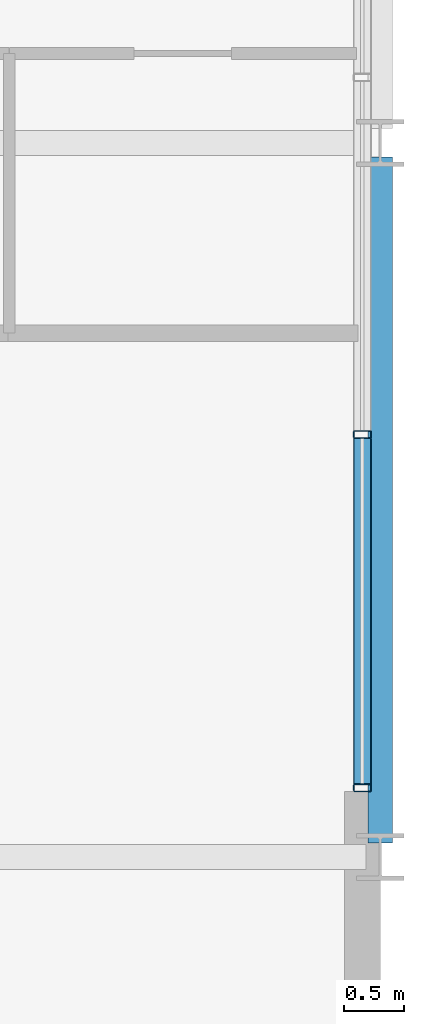
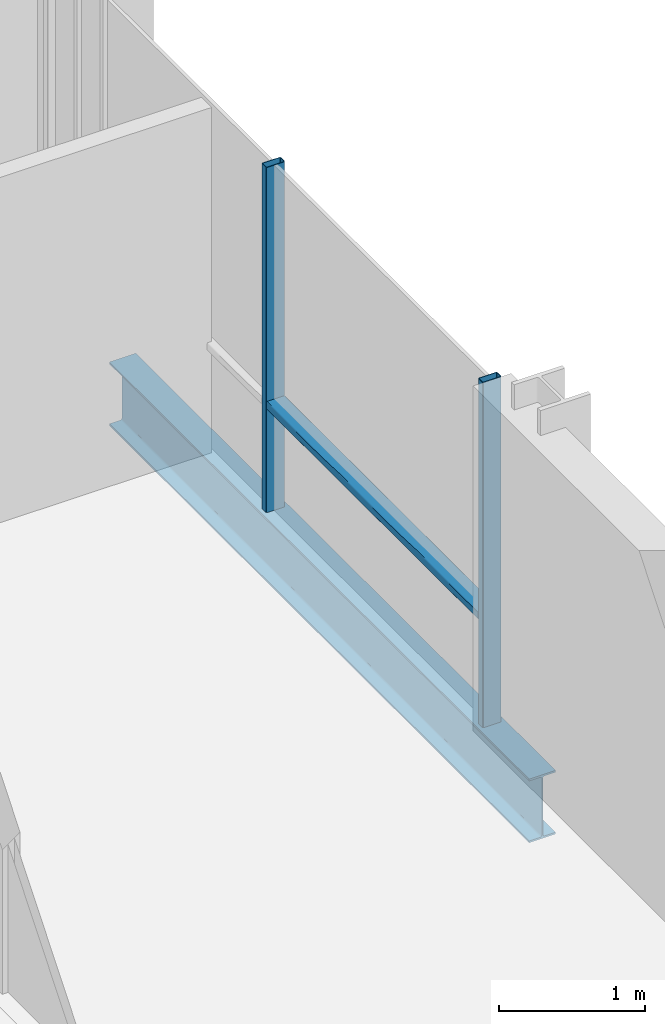
# One storey, part 10 of 27: 3 members, 1 beam, 1 element without a shape of its own.
"""IFC4 building model written with IfcOpenShell, lengths in metres."""

from ifc_helpers import new_model, si_unit, direction, frame, origin, origin_2d, place, context, subcontext, project, spatial, hollow_rectangle, i_section, extrude, material, layer, layer_set, material_profile, profile_set, type_object, element, aggregate, save


model = new_model("IFC4")

# Units and contexts
model_context = context("Model", 3, precision=1e-05, world=origin(), true_north=direction((0.0, 1.0)))
body_context = subcontext(model_context, "Body", "Model", "MODEL_VIEW")
ifc_project = project(units=[si_unit("LENGTHUNIT", "METRE"), si_unit("AREAUNIT", "SQUARE_METRE"), si_unit("VOLUMEUNIT", "CUBIC_METRE"), si_unit("PLANEANGLEUNIT", "RADIAN"), si_unit("MASSUNIT", "GRAM", prefix="KILO")], contexts=[model_context])

# Site, building, storey
site_placement = place(None, origin())
site = spatial("IfcSite", under=ifc_project, at=site_placement, CompositionType="ELEMENT")
building_placement = place(site_placement, origin())
building = spatial("IfcBuilding", under=site, at=building_placement, Name="Brevholm Reach", CompositionType="ELEMENT")
storey_placement = place(building_placement, frame((0.0, 0.0, 195.60009765625)))
storey = spatial("IfcBuildingStorey", under=building, at=storey_placement, Name="L59", CompositionType="ELEMENT", Elevation=195.60009765625)

# Beam
ifc_material_1 = material(Name="Structural Steel S355J2", Category="steel")
ifc_material_profile_1 = material_profile(ifc_material_1, i_section(OverallWidth=0.209228515625, OverallDepth=0.533203125, WebThickness=0.010009765625, FlangeThickness=0.015625, FilletRadius=0.0126953125, at=origin_2d()), Name="UKB 533x210x92")
ifc_profile_set_1 = profile_set([ifc_material_profile_1], Name="Structural Steel S355J2")
beam_type = type_object("IfcBeamType", Name="BM-SP533", PredefinedType="SPANDREL", material=ifc_profile_set_1)
beam_placement = place(storey_placement, frame((60.0, 10.1201171875, -0.4765625), z_axis=(0.0, 1.0, 0.0), x_axis=(-1.0, 0.0, 0.0)))
element("IfcBeam", 1, at=beam_placement, inside=storey, type_object=beam_type, Name="L59 SP-02 Framing Beam", PredefinedType="SPANDREL", context=body_context, shape_type="SweptSolid", body=[
    extrude(i_section(OverallWidth=0.209228515625, OverallDepth=0.533203125, WebThickness=0.010009765625, FlangeThickness=0.015625, FilletRadius=0.0126953125, at=origin_2d()), origin(), (0.0, 0.0, 1.0), 5.759765625),
])

# Curtain wall, members
ifc_material_2 = material(Name="Dark Anodised Aluminium 6063-T6 and Solar-Control Glass", Category="aluminium")
ifc_layer = layer(ifc_material_2, 0.14990234375)
ifc_layer_set = layer_set([ifc_layer], Name="Dark Anodised Aluminium 6063-T6 and Solar-Control Glass")
curtain_wall_type = type_object("IfcCurtainWallType", Name="CW-01", PredefinedType="NOTDEFINED", material=ifc_layer_set)
curtain_wall_placement = place(storey_placement, origin())
curtain_wall = element("IfcCurtainWall", 2, at=curtain_wall_placement, inside=storey, type_object=curtain_wall_type, Name="L59 Curtain Wall CW-01", PredefinedType="NOTDEFINED")
ifc_material_3 = material(Name="Dark Anodised Aluminium 6063-T6", Category="aluminium")
ifc_material_profile_2 = material_profile(ifc_material_3, hollow_rectangle(XDim=0.06494140625, YDim=0.14990234375, WallThickness=0.0048828125, InnerFilletRadius=0.0048828125, OuterFilletRadius=0.010009765625, at=origin_2d()), Name="RHS 150x65x5")
ifc_profile_set_2 = profile_set([ifc_material_profile_2], Name="Dark Anodised Aluminium 6063-T6")
member_type_1 = type_object("IfcMemberType", Name="CWM-150", PredefinedType="MULLION", material=ifc_profile_set_2)
member_1_placement = place(storey_placement, frame((59.85009765625, 10.58251953125, 0.0), z_axis=(0.0, 0.0, 1.0), x_axis=(0.0, 1.0, 0.0)))
member_1 = element("IfcMember", 3, at=member_1_placement, type_object=member_type_1, Name="CM-150 Mullion 1", PredefinedType="MULLION", context=body_context, shape_type="SweptSolid", body=[
    extrude(hollow_rectangle(XDim=0.06494140625, YDim=0.14990234375, WallThickness=0.0048828125, InnerFilletRadius=0.0048828125, OuterFilletRadius=0.010009765625, at=origin_2d()), origin(), (0.0, 0.0, 1.0), 2.889892578125),
])
member_2_placement = place(storey_placement, frame((59.85009765625, 13.550048828125, 0.0), z_axis=(0.0, 0.0, 1.0), x_axis=(0.0, 1.0, 0.0)))
member_2 = element("IfcMember", 4, at=member_2_placement, type_object=member_type_1, Name="CM-150 Mullion 2", PredefinedType="MULLION", context=body_context, shape_type="SweptSolid", body=[
    extrude(hollow_rectangle(XDim=0.06494140625, YDim=0.14990234375, WallThickness=0.0048828125, InnerFilletRadius=0.0048828125, OuterFilletRadius=0.010009765625, at=origin_2d()), origin(), (0.0, 0.0, 1.0), 2.889892578125),
])
ifc_material_4 = material(Name="Dark Anodised Aluminium 6063-T6", Category="aluminium")
ifc_material_profile_3 = material_profile(ifc_material_4, hollow_rectangle(XDim=0.06494140625, YDim=0.14990234375, WallThickness=0.0048828125, InnerFilletRadius=0.0048828125, OuterFilletRadius=0.010009765625, at=origin_2d()), Name="RHS 150x65x5")
ifc_profile_set_3 = profile_set([ifc_material_profile_3], Name="Dark Anodised Aluminium 6063-T6")
member_type_2 = type_object("IfcMemberType", Name="CWT-150", PredefinedType="NOTDEFINED", material=ifc_profile_set_3)
member_3_placement = place(storey_placement, frame((59.85009765625, 10.614990234375, 0.89990234375), z_axis=(0.0, 1.0, 0.0), x_axis=(0.0, 0.0, 1.0)))
member_3 = element("IfcMember", 5, at=member_3_placement, type_object=member_type_2, Name="CT-150 Transom 1.1", ObjectType="TRANSOM", PredefinedType="USERDEFINED", context=body_context, shape_type="SweptSolid", body=[
    extrude(hollow_rectangle(XDim=0.06494140625, YDim=0.14990234375, WallThickness=0.0048828125, InnerFilletRadius=0.0048828125, OuterFilletRadius=0.010009765625, at=origin_2d()), origin(), (0.0, 0.0, 1.0), 2.902587890625),
])
aggregate(curtain_wall, [member_1, member_2, member_3])

save(model, "model.ifc")
